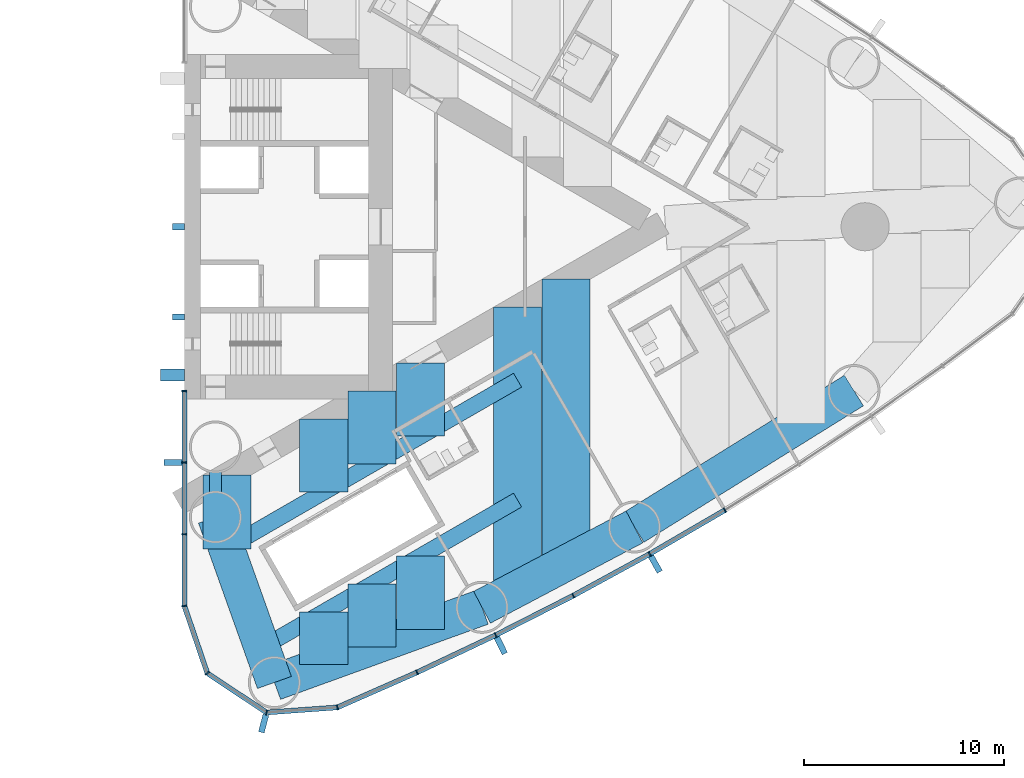
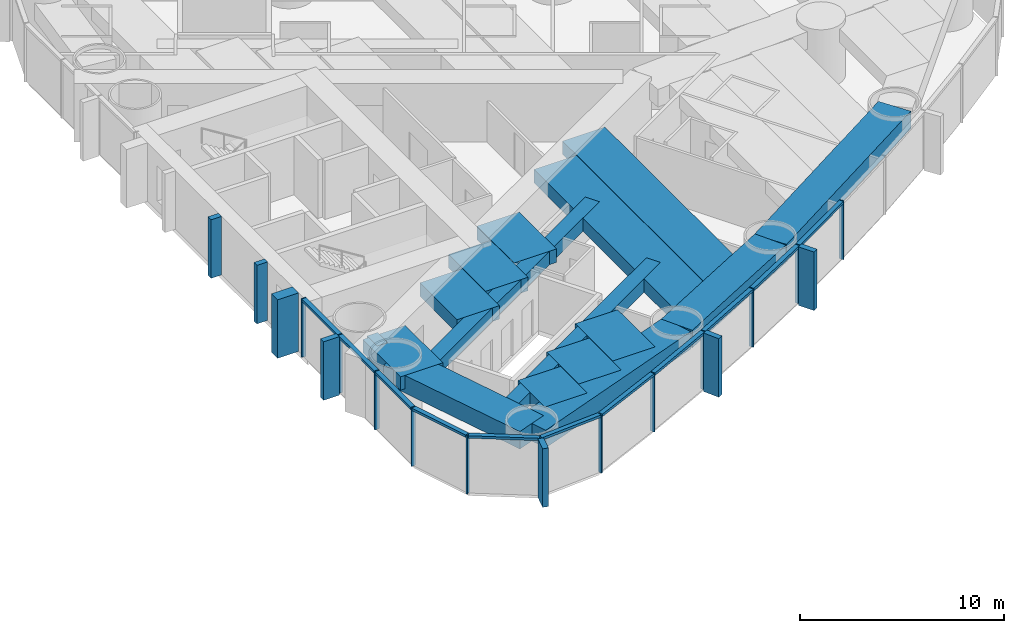
# One storey, part 6 of 18: 30 members, 16 beams, 1 element without a shape of its own.
"""IFC4 building model written with IfcOpenShell, lengths in metres."""

from ifc_helpers import new_model, si_unit, direction, frame, origin, origin_2d, place, context, subcontext, project, spatial, rectangle, hollow_rectangle, extrude, material, material_profile, profile_set, type_object, element, aggregate, save


model = new_model("IFC4")

# Units and contexts
model_context = context("Model", 3, precision=1e-05, world=origin(), true_north=direction((0.0, 1.0)))
body_context = subcontext(model_context, "Body", "Model", "MODEL_VIEW")
ifc_project = project(units=[si_unit("LENGTHUNIT", "METRE"), si_unit("AREAUNIT", "SQUARE_METRE"), si_unit("VOLUMEUNIT", "CUBIC_METRE"), si_unit("PLANEANGLEUNIT", "RADIAN"), si_unit("MASSUNIT", "GRAM", prefix="KILO")], contexts=[model_context])

# Site, building, storey
site_placement = place(None, origin())
site = spatial("IfcSite", under=ifc_project, at=site_placement, CompositionType="ELEMENT")
building_placement = place(site_placement, origin())
building = spatial("IfcBuilding", under=site, at=building_placement, Name="Lancet Gate Hotel", CompositionType="ELEMENT")
storey_placement = place(building_placement, frame((0.0, 0.0, 104.60009765625)))
storey = spatial("IfcBuildingStorey", under=building, at=storey_placement, Name="L27", CompositionType="ELEMENT", Elevation=104.60009765625)

# Curtain wall, members
ifc_material_1 = material(Name="Aluminium curtain wall", Category="aluminium")
curtain_wall_type = type_object("IfcCurtainWallType", Name="Tower unitised curtain wall", PredefinedType="USERDEFINED", material=ifc_material_1)
curtain_wall_placement = place(storey_placement, origin())
curtain_wall = element("IfcCurtainWall", 1, at=curtain_wall_placement, inside=storey, type_object=curtain_wall_type, Name="T2 L27 curtain wall 1", ObjectType="UNITISED CURTAIN WALL", PredefinedType="USERDEFINED")
ifc_material_2 = material(Name="Aluminium mullion", Category="aluminium")
ifc_material_profile_1 = material_profile(ifc_material_2, rectangle(XDim=0.06494140625, YDim=0.25, at=origin_2d()), Name="MULLION 65x250")
ifc_profile_set_1 = profile_set([ifc_material_profile_1], Name="Aluminium mullion")
member_type_1 = type_object("IfcMemberType", Name="Aluminium mullion 65x250", PredefinedType="MULLION", material=ifc_profile_set_1)
member_1_placement = place(storey_placement, frame((27.5, -8.199951171875, 0.0), z_axis=(0.0, 0.0, 1.0), x_axis=(0.0, -1.0, 0.0)))
member_1 = element("IfcMember", 2, at=member_1_placement, type_object=member_type_1, Name="T2 L27 curtain wall 1 mullion 1", PredefinedType="MULLION", context=body_context, shape_type="SweptSolid", body=[
    extrude(rectangle(XDim=0.06494140625, YDim=0.25, at=origin_2d()), origin(), (0.0, 0.0, 1.0), 3.5),
])
member_2_placement = place(storey_placement, frame((27.5, -11.781005859375, 0.0), z_axis=(0.0, 0.0, 1.0), x_axis=(0.0, -1.0, 0.0)))
member_2 = element("IfcMember", 3, at=member_2_placement, type_object=member_type_1, Name="T2 L27 curtain wall 1 mullion 2", PredefinedType="MULLION", context=body_context, shape_type="SweptSolid", body=[
    extrude(rectangle(XDim=0.06494140625, YDim=0.25, at=origin_2d()), origin(), (0.0, 0.0, 1.0), 3.5),
])
member_3_placement = place(storey_placement, frame((27.5, -15.362060546875, 0.0), z_axis=(0.0, 0.0, 1.0), x_axis=(0.0, -1.0, 0.0)))
member_3 = element("IfcMember", 4, at=member_3_placement, type_object=member_type_1, Name="T2 L27 curtain wall 1 mullion 3", PredefinedType="MULLION", context=body_context, shape_type="SweptSolid", body=[
    extrude(rectangle(XDim=0.06494140625, YDim=0.25, at=origin_2d()), origin(), (0.0, 0.0, 1.0), 3.5),
])
member_4_placement = place(storey_placement, frame((27.5, -18.94287109375, 0.0), z_axis=(0.0, 0.0, 1.0), x_axis=(0.162738742557, -0.986669195663, 0.0)))
member_4 = element("IfcMember", 5, at=member_4_placement, type_object=member_type_1, Name="T2 L27 curtain wall 1 mullion 4", PredefinedType="MULLION", context=body_context, shape_type="SweptSolid", body=[
    extrude(rectangle(XDim=0.06494140625, YDim=0.25, at=origin_2d()), origin(), (0.0, 0.0, 1.0), 3.5),
])
member_5_placement = place(storey_placement, frame((28.64453125, -22.301513671875, 0.0), z_axis=(0.0, 0.0, 1.0), x_axis=(0.610663954798, -0.79188984986, 0.0)))
member_5 = element("IfcMember", 6, at=member_5_placement, type_object=member_type_1, Name="T2 L27 curtain wall 1 mullion 5", PredefinedType="MULLION", context=body_context, shape_type="SweptSolid", body=[
    extrude(rectangle(XDim=0.06494140625, YDim=0.25, at=origin_2d()), origin(), (0.0, 0.0, 1.0), 3.5),
])
member_6_placement = place(storey_placement, frame((31.60205078125, -24.26220703125, 0.0), z_axis=(0.0, 0.0, 1.0), x_axis=(0.967157174963, -0.254179068604, 0.0)))
member_6 = element("IfcMember", 7, at=member_6_placement, type_object=member_type_1, Name="T2 L27 curtain wall 1 mullion 6", PredefinedType="MULLION", context=body_context, shape_type="SweptSolid", body=[
    extrude(rectangle(XDim=0.06494140625, YDim=0.25, at=origin_2d()), origin(), (0.0, 0.0, 1.0), 3.5),
])
member_7_placement = place(storey_placement, frame((35.141357421875, -24.009033203125, 0.0), z_axis=(0.0, 0.0, 1.0), x_axis=(0.966317378791, 0.257353304711, 0.0)))
member_7 = element("IfcMember", 8, at=member_7_placement, type_object=member_type_1, Name="T2 L27 curtain wall 1 mullion 7", PredefinedType="MULLION", context=body_context, shape_type="SweptSolid", body=[
    extrude(rectangle(XDim=0.06494140625, YDim=0.25, at=origin_2d()), origin(), (0.0, 0.0, 1.0), 3.5),
])
member_8_placement = place(storey_placement, frame((39.12109375, -22.259765625, 0.0), z_axis=(0.0, 0.0, 1.0), x_axis=(0.909672766767, 0.415325724465, 0.0)))
member_8 = element("IfcMember", 9, at=member_8_placement, type_object=member_type_1, Name="T2 L27 curtain wall 1 mullion 8", PredefinedType="MULLION", context=body_context, shape_type="SweptSolid", body=[
    extrude(rectangle(XDim=0.06494140625, YDim=0.25, at=origin_2d()), origin(), (0.0, 0.0, 1.0), 3.5),
])
member_9_placement = place(storey_placement, frame((43.0498046875, -20.398193359375, 0.0), z_axis=(0.0, 0.0, 1.0), x_axis=(0.897511886496, 0.440990264743, 0.0)))
member_9 = element("IfcMember", 10, at=member_9_placement, type_object=member_type_1, Name="T2 L27 curtain wall 1 mullion 9", PredefinedType="MULLION", context=body_context, shape_type="SweptSolid", body=[
    extrude(rectangle(XDim=0.06494140625, YDim=0.25, at=origin_2d()), origin(), (0.0, 0.0, 1.0), 3.5),
])
member_10_placement = place(storey_placement, frame((46.923828125, -18.426025390625, 0.0), z_axis=(0.0, 0.0, 1.0), x_axis=(0.884627112962, 0.466299121822, 0.0)))
member_10 = element("IfcMember", 11, at=member_10_placement, type_object=member_type_1, Name="T2 L27 curtain wall 1 mullion 10", PredefinedType="MULLION", context=body_context, shape_type="SweptSolid", body=[
    extrude(rectangle(XDim=0.06494140625, YDim=0.25, at=origin_2d()), origin(), (0.0, 0.0, 1.0), 3.5),
])
member_11_placement = place(storey_placement, frame((50.740478515625, -16.344482421875, 0.0), z_axis=(0.0, 0.0, 1.0), x_axis=(0.871028838445, 0.491231882716, 0.0)))
member_11 = element("IfcMember", 12, at=member_11_placement, type_object=member_type_1, Name="T2 L27 curtain wall 1 mullion 11", PredefinedType="MULLION", context=body_context, shape_type="SweptSolid", body=[
    extrude(rectangle(XDim=0.06494140625, YDim=0.25, at=origin_2d()), origin(), (0.0, 0.0, 1.0), 3.5),
])
member_12_placement = place(storey_placement, frame((54.496337890625, -14.1552734375, 0.0), z_axis=(0.0, 0.0, 1.0), x_axis=(0.856728030701, 0.515768437781, 0.0)))
member_12 = element("IfcMember", 13, at=member_12_placement, type_object=member_type_1, Name="T2 L27 curtain wall 1 mullion 12", PredefinedType="MULLION", context=body_context, shape_type="SweptSolid", body=[
    extrude(rectangle(XDim=0.06494140625, YDim=0.25, at=origin_2d()), origin(), (0.0, 0.0, 1.0), 3.5),
])
ifc_material_3 = material(Name="Aluminium transom", Category="aluminium")
ifc_material_profile_2 = material_profile(ifc_material_3, rectangle(XDim=0.25, YDim=0.14990234375, at=origin_2d()), Name="TRANSOM 250x150")
ifc_profile_set_2 = profile_set([ifc_material_profile_2], Name="Aluminium transom")
member_type_2 = type_object("IfcMemberType", Name="Aluminium transom 250x150", PredefinedType="USERDEFINED", material=ifc_profile_set_2)
member_13_placement = place(storey_placement, frame((27.5, -8.232421875, 3.4248046875), z_axis=(0.0, -1.0, 0.0), x_axis=(1.0, 0.0, 0.0)))
member_13 = element("IfcMember", 14, at=member_13_placement, type_object=member_type_2, Name="T2 L27 curtain wall 1 transom 1", ObjectType="TRANSOM", PredefinedType="USERDEFINED", context=body_context, shape_type="SweptSolid", body=[
    extrude(rectangle(XDim=0.25, YDim=0.14990234375, at=origin_2d()), origin(), (0.0, 0.0, 1.0), 3.51611328125),
])
member_14_placement = place(storey_placement, frame((27.5, -11.8134765625, 3.4248046875), z_axis=(0.0, -1.0, 0.0), x_axis=(1.0, 0.0, 0.0)))
member_14 = element("IfcMember", 15, at=member_14_placement, type_object=member_type_2, Name="T2 L27 curtain wall 1 transom 2", ObjectType="TRANSOM", PredefinedType="USERDEFINED", context=body_context, shape_type="SweptSolid", body=[
    extrude(rectangle(XDim=0.25, YDim=0.14990234375, at=origin_2d()), origin(), (0.0, 0.0, 1.0), 3.515869140625),
])
member_15_placement = place(storey_placement, frame((27.5, -15.39453125, 3.4248046875), z_axis=(0.0, -1.0, 0.0), x_axis=(1.0, 0.0, 0.0)))
member_15 = element("IfcMember", 16, at=member_15_placement, type_object=member_type_2, Name="T2 L27 curtain wall 1 transom 3", ObjectType="TRANSOM", PredefinedType="USERDEFINED", context=body_context, shape_type="SweptSolid", body=[
    extrude(rectangle(XDim=0.25, YDim=0.14990234375, at=origin_2d()), origin(), (0.0, 0.0, 1.0), 3.515869140625),
])
member_16_placement = place(storey_placement, frame((27.510498046875, -18.9736328125, 3.4248046875), z_axis=(0.322549769135, -0.946552505903, 0.0), x_axis=(0.946552505903, 0.322549769135, 0.0)))
member_16 = element("IfcMember", 17, at=member_16_placement, type_object=member_type_2, Name="T2 L27 curtain wall 1 transom 4", ObjectType="TRANSOM", PredefinedType="USERDEFINED", context=body_context, shape_type="SweptSolid", body=[
    extrude(rectangle(XDim=0.25, YDim=0.14990234375, at=origin_2d()), origin(), (0.0, 0.0, 1.0), 3.4833984375),
])
member_17_placement = place(storey_placement, frame((28.671630859375, -22.319580078125, 3.4248046875), z_axis=(0.833470854141, -0.552563421968, 0.0), x_axis=(0.552563421968, 0.833470854141, 0.0)))
member_17 = element("IfcMember", 18, at=member_17_placement, type_object=member_type_2, Name="T2 L27 curtain wall 1 transom 5", ObjectType="TRANSOM", PredefinedType="USERDEFINED", context=body_context, shape_type="SweptSolid", body=[
    extrude(rectangle(XDim=0.25, YDim=0.14990234375, at=origin_2d()), origin(), (0.0, 0.0, 1.0), 3.4833984375),
])
member_18_placement = place(storey_placement, frame((31.634521484375, -24.260009765625, 3.4248046875), z_axis=(0.997446232115, 0.071421383636, 0.0), x_axis=(-0.071421383636, 0.997446232115, 0.0)))
member_18 = element("IfcMember", 19, at=member_18_placement, type_object=member_type_2, Name="T2 L27 curtain wall 1 transom 6", ObjectType="TRANSOM", PredefinedType="USERDEFINED", context=body_context, shape_type="SweptSolid", body=[
    extrude(rectangle(XDim=0.25, YDim=0.14990234375, at=origin_2d()), origin(), (0.0, 0.0, 1.0), 3.483154296875),
])
member_19_placement = place(storey_placement, frame((35.171142578125, -23.995849609375, 3.4248046875), z_axis=(0.915484772266, 0.402352621155, 0.0), x_axis=(-0.402352621155, 0.915484772266, 0.0)))
member_19 = element("IfcMember", 20, at=member_19_placement, type_object=member_type_2, Name="T2 L27 curtain wall 1 transom 7", ObjectType="TRANSOM", PredefinedType="USERDEFINED", context=body_context, shape_type="SweptSolid", body=[
    extrude(rectangle(XDim=0.25, YDim=0.14990234375, at=origin_2d()), origin(), (0.0, 0.0, 1.0), 4.281982421875),
])
member_20_placement = place(storey_placement, frame((39.150634765625, -22.245849609375, 3.4248046875), z_axis=(0.903679787814, 0.428208875546, 0.0), x_axis=(-0.428208875546, 0.903679787814, 0.0)))
member_20 = element("IfcMember", 21, at=member_20_placement, type_object=member_type_2, Name="T2 L27 curtain wall 1 transom 8", ObjectType="TRANSOM", PredefinedType="USERDEFINED", context=body_context, shape_type="SweptSolid", body=[
    extrude(rectangle(XDim=0.25, YDim=0.14990234375, at=origin_2d()), origin(), (0.0, 0.0, 1.0), 4.282470703125),
])
member_21_placement = place(storey_placement, frame((43.07861328125, -20.383544921875, 3.4248046875), z_axis=(0.891165630033, 0.453678101574, 0.0), x_axis=(-0.453678101574, 0.891165630033, 0.0)))
member_21 = element("IfcMember", 22, at=member_21_placement, type_object=member_type_2, Name="T2 L27 curtain wall 1 transom 9", ObjectType="TRANSOM", PredefinedType="USERDEFINED", context=body_context, shape_type="SweptSolid", body=[
    extrude(rectangle(XDim=0.25, YDim=0.14990234375, at=origin_2d()), origin(), (0.0, 0.0, 1.0), 4.282470703125),
])
member_22_placement = place(storey_placement, frame((46.952392578125, -18.410400390625, 3.4248046875), z_axis=(0.877906466435, 0.478832158685, 0.0), x_axis=(-0.478832158685, 0.877906466435, 0.0)))
member_22 = element("IfcMember", 23, at=member_22_placement, type_object=member_type_2, Name="T2 L27 curtain wall 1 transom 10", ObjectType="TRANSOM", PredefinedType="USERDEFINED", context=body_context, shape_type="SweptSolid", body=[
    extrude(rectangle(XDim=0.25, YDim=0.14990234375, at=origin_2d()), origin(), (0.0, 0.0, 1.0), 4.282470703125),
])
member_23_placement = place(storey_placement, frame((50.7685546875, -16.327880859375, 3.4248046875), z_axis=(0.863973212152, 0.503537772847, 0.0), x_axis=(-0.503537772847, 0.863973212152, 0.0)))
member_23 = element("IfcMember", 24, at=member_23_placement, type_object=member_type_2, Name="T2 L27 curtain wall 1 transom 11", ObjectType="TRANSOM", PredefinedType="USERDEFINED", context=body_context, shape_type="SweptSolid", body=[
    extrude(rectangle(XDim=0.25, YDim=0.14990234375, at=origin_2d()), origin(), (0.0, 0.0, 1.0), 4.2822265625),
])

# Beams
ifc_material_4 = material(Name="Concrete C50/60", Category="concrete")
ifc_material_profile_3 = material_profile(ifc_material_4, rectangle(XDim=1.800048828125, YDim=1.050048828125, at=origin_2d()), Name="RC 1800x1050")
ifc_profile_set_3 = profile_set([ifc_material_profile_3], Name="Concrete C50/60")
beam_type_1 = type_object("IfcBeamType", Name="Edge beam RC 1800x1050", PredefinedType="SPANDREL", material=ifc_profile_set_3)
beam_1_placement = place(storey_placement, frame((31.99609375, -22.76318359375, 2.724853515625), z_axis=(0.940225039526, 0.340553777029, 0.0), x_axis=(-0.340553777029, 0.940225039526, 0.0)))
element("IfcBeam", 25, at=beam_1_placement, inside=storey, type_object=beam_type_1, Name="T2 edge beam EB1 L27", PredefinedType="SPANDREL", context=body_context, shape_type="SweptSolid", body=[
    extrude(rectangle(XDim=1.800048828125, YDim=1.050048828125, at=origin_2d()), origin(), (0.0, 0.0, 1.0), 11.029296875),
])
beam_2_placement = place(storey_placement, frame((42.3662109375, -19.007080078125, 2.724853515625), z_axis=(0.884632510133, 0.466288882578, 0.0), x_axis=(-0.466288882578, 0.884632510133, 0.0)))
element("IfcBeam", 26, at=beam_2_placement, inside=storey, type_object=beam_type_1, Name="T2 edge beam EB1 L27", PredefinedType="SPANDREL", context=body_context, shape_type="SweptSolid", body=[
    extrude(rectangle(XDim=1.800048828125, YDim=1.050048828125, at=origin_2d()), origin(), (0.0, 0.0, 1.0), 8.605712890625),
])
beam_3_placement = place(storey_placement, frame((49.97900390625, -14.994384765625, 2.724853515625), z_axis=(0.849312372751, 0.527890607505, 0.0), x_axis=(-0.527890607505, 0.849312372751, 0.0)))
element("IfcBeam", 27, at=beam_3_placement, inside=storey, type_object=beam_type_1, Name="T2 edge beam EB1 L27", PredefinedType="SPANDREL", context=body_context, shape_type="SweptSolid", body=[
    extrude(rectangle(XDim=1.800048828125, YDim=1.050048828125, at=origin_2d()), origin(), (0.0, 0.0, 1.0), 12.906494140625),
])
beam_4_placement = place(storey_placement, frame((31.99609375, -22.76318359375, 2.724853515625), z_axis=(-0.335821559388, 0.941925623523, 0.0), x_axis=(-0.941925623523, -0.335821559388, 0.0)))
element("IfcBeam", 28, at=beam_4_placement, inside=storey, type_object=beam_type_1, Name="T2 edge beam EB1 L27", PredefinedType="SPANDREL", context=body_context, shape_type="SweptSolid", body=[
    extrude(rectangle(XDim=1.800048828125, YDim=1.050048828125, at=origin_2d()), origin(), (0.0, 0.0, 1.0), 8.772705078125),
])

# Member
ifc_material_5 = material(Name="Concrete C60/75", Category="concrete")
ifc_material_profile_4 = material_profile(ifc_material_5, rectangle(XDim=0.60009765625, YDim=1.199951171875, at=origin_2d()), Name="FIN 600x1200")
ifc_profile_set_4 = profile_set([ifc_material_profile_4], Name="Concrete C60/75")
member_type_3 = type_object("IfcMemberType", Name="Exposed concrete buttress pilaster 600x1200", PredefinedType="USERDEFINED", material=ifc_profile_set_4)
member_24_placement = place(storey_placement, frame((26.909912109375, -7.39990234375, 0.0), z_axis=(0.0, 0.0, 1.0), x_axis=(0.0, 1.0, 0.0)))
element("IfcMember", 29, at=member_24_placement, inside=storey, type_object=member_type_3, Name="T2 buttress pilaster S L27", ObjectType="FIN", PredefinedType="USERDEFINED", context=body_context, shape_type="SweptSolid", body=[
    extrude(rectangle(XDim=0.60009765625, YDim=1.199951171875, at=origin_2d()), origin(), (0.0, 0.0, 1.0), 3.5),
])

ifc_material_6 = material(Name="Precast concrete C50/60", Category="concrete")
ifc_material_profile_5 = material_profile(ifc_material_6, rectangle(XDim=0.300048828125, YDim=0.89990234375, at=origin_2d()), Name="FIN 300x900")
ifc_profile_set_5 = profile_set([ifc_material_profile_5], Name="Precast concrete C50/60")
member_type_4 = type_object("IfcMemberType", Name="Exposed concrete fin 300x900", PredefinedType="USERDEFINED", material=ifc_profile_set_5)
member_25_placement = place(storey_placement, frame((26.925048828125, -11.781005859375, 0.0), z_axis=(0.0, 0.0, 1.0), x_axis=(0.0, -1.0, 0.0)))
member_25 = element("IfcMember", 30, at=member_25_placement, type_object=member_type_4, Name="T2 L27 curtain wall 1 fin 2", ObjectType="FIN", PredefinedType="USERDEFINED", context=body_context, shape_type="SweptSolid", body=[
    extrude(rectangle(XDim=0.300048828125, YDim=0.89990234375, at=origin_2d()), origin(), (0.0, 0.0, 1.0), 3.5),
])

member_26_placement = place(storey_placement, frame((31.455810546875, -24.818359375, 0.0), z_axis=(0.0, 0.0, 1.0), x_axis=(0.967157174963, -0.254179068604, 0.0)))
member_26 = element("IfcMember", 31, at=member_26_placement, type_object=member_type_4, Name="T2 L27 curtain wall 1 fin 6", ObjectType="FIN", PredefinedType="USERDEFINED", context=body_context, shape_type="SweptSolid", body=[
    extrude(rectangle(XDim=0.300048828125, YDim=0.89990234375, at=origin_2d()), origin(), (0.0, 0.0, 1.0), 3.5),
])

member_27_placement = place(storey_placement, frame((43.30322265625, -20.914306640625, 0.0), z_axis=(0.0, 0.0, 1.0), x_axis=(0.897511886496, 0.440990264743, 0.0)))
member_27 = element("IfcMember", 32, at=member_27_placement, type_object=member_type_4, Name="T2 L27 curtain wall 1 fin 9", ObjectType="FIN", PredefinedType="USERDEFINED", context=body_context, shape_type="SweptSolid", body=[
    extrude(rectangle(XDim=0.300048828125, YDim=0.89990234375, at=origin_2d()), origin(), (0.0, 0.0, 1.0), 3.5),
])

member_28_placement = place(storey_placement, frame((51.02294921875, -16.84521484375, 0.0), z_axis=(0.0, 0.0, 1.0), x_axis=(0.871028838445, 0.491231882716, 0.0)))
member_28 = element("IfcMember", 33, at=member_28_placement, type_object=member_type_4, Name="T2 L27 curtain wall 1 fin 11", ObjectType="FIN", PredefinedType="USERDEFINED", context=body_context, shape_type="SweptSolid", body=[
    extrude(rectangle(XDim=0.300048828125, YDim=0.89990234375, at=origin_2d()), origin(), (0.0, 0.0, 1.0), 3.5),
])

aggregate(curtain_wall, [member_1, member_2, member_25, member_3, member_4, member_5, member_6, member_26, member_7, member_8, member_9, member_27, member_10, member_11, member_28, member_12, member_13, member_14, member_15, member_16, member_17, member_18, member_19, member_20, member_21, member_22, member_23])

# Members
ifc_material_7 = material(Name="Concrete C60/75", Category="concrete")
ifc_material_profile_6 = material_profile(ifc_material_7, rectangle(XDim=0.300048828125, YDim=0.60009765625, at=origin_2d()), Name="FIN 300x600")
ifc_profile_set_6 = profile_set([ifc_material_profile_6], Name="Concrete C60/75")
member_type_5 = type_object("IfcMemberType", Name="Exposed concrete rib 300x600", PredefinedType="USERDEFINED", material=ifc_profile_set_6)
for number, where, z_axis, x_axis, name in (
    (34, (27.2099609375, -4.5, 0.0), (0.0, 0.0, 1.0), (0.0, 1.0, 0.0), "T2 core rib 1 L27"),
    (35, (27.2099609375, 0.0, 0.0), (0.0, 0.0, 1.0), (0.0, 1.0, 0.0), "T2 core rib 2 L27"),
):
    element("IfcMember", number, at=place(storey_placement, frame(where, z_axis=z_axis, x_axis=x_axis)), inside=storey, type_object=member_type_5, Name=name, ObjectType="FIN", PredefinedType="USERDEFINED", context=body_context, shape_type="SweptSolid", body=[
        extrude(rectangle(XDim=0.300048828125, YDim=0.60009765625, at=origin_2d()), origin(), (0.0, 0.0, 1.0), 3.5),
    ])

# Beams
ifc_material_8 = material(Name="Concrete C50/60", Category="concrete")
ifc_material_profile_7 = material_profile(ifc_material_8, rectangle(XDim=2.39990234375, YDim=0.800048828125, at=origin_2d()), Name="RC 2400x800")
ifc_profile_set_7 = profile_set([ifc_material_profile_7], Name="Concrete C50/60")
beam_type_2 = type_object("IfcBeamType", Name="Floor beam RC 2400x800", PredefinedType="BEAM", material=ifc_profile_set_7)
beam_5_placement = place(storey_placement, frame((29.6201171875, -16.099365234375, 2.849853515625), z_axis=(0.0, 1.0, 0.0), x_axis=(-1.0, 0.0, 0.0)))
element("IfcBeam", 36, at=beam_5_placement, inside=storey, type_object=beam_type_2, Name="T2 floor beam F01S L27", PredefinedType="BEAM", context=body_context, shape_type="SweptSolid", body=[
    extrude(rectangle(XDim=2.39990234375, YDim=0.800048828125, at=origin_2d()), origin(), (0.0, 0.0, 1.0), 3.69677734375),
])
beam_6_placement = place(storey_placement, frame((44.1416015625, -18.0712890625, 2.849853515625), z_axis=(0.0, 1.0, 0.0), x_axis=(-1.0, 0.0, 0.0)))
element("IfcBeam", 37, at=beam_6_placement, inside=storey, type_object=beam_type_2, Name="T2 floor beam F09S L27", PredefinedType="BEAM", context=body_context, shape_type="SweptSolid", body=[
    extrude(rectangle(XDim=2.39990234375, YDim=0.800048828125, at=origin_2d()), origin(), (0.0, 0.0, 1.0), 14.052490234375),
])
beam_7_placement = place(storey_placement, frame((46.561767578125, -16.795654296875, 2.849853515625), z_axis=(0.0, 1.0, 0.0), x_axis=(-1.0, 0.0, 0.0)))
element("IfcBeam", 38, at=beam_7_placement, inside=storey, type_object=beam_type_2, Name="T2 floor beam F11S L27", PredefinedType="BEAM", context=body_context, shape_type="SweptSolid", body=[
    extrude(rectangle(XDim=2.39990234375, YDim=0.800048828125, at=origin_2d()), origin(), (0.0, 0.0, 1.0), 14.17431640625),
])
beam_8_placement = place(storey_placement, frame((34.460693359375, -21.87060546875, 2.849853515625), z_axis=(0.0, 1.0, 0.0), x_axis=(-1.0, 0.0, 0.0)))
element("IfcBeam", 39, at=beam_8_placement, inside=storey, type_object=beam_type_2, Name="T2 floor beam F03SA L27", PredefinedType="BEAM", context=body_context, shape_type="SweptSolid", body=[
    extrude(rectangle(XDim=2.39990234375, YDim=0.800048828125, at=origin_2d()), origin(), (0.0, 0.0, 1.0), 2.62939453125),
])
beam_9_placement = place(storey_placement, frame((34.460693359375, -13.253662109375, 2.849853515625), z_axis=(0.0, 1.0, 0.0), x_axis=(-1.0, 0.0, 0.0)))
element("IfcBeam", 40, at=beam_9_placement, inside=storey, type_object=beam_type_2, Name="T2 floor beam F03SB L27", PredefinedType="BEAM", context=body_context, shape_type="SweptSolid", body=[
    extrude(rectangle(XDim=2.39990234375, YDim=0.800048828125, at=origin_2d()), origin(), (0.0, 0.0, 1.0), 3.645751953125),
])
beam_10_placement = place(storey_placement, frame((36.880859375, -20.993896484375, 2.849853515625), z_axis=(0.0, 1.0, 0.0), x_axis=(-1.0, 0.0, 0.0)))
element("IfcBeam", 41, at=beam_10_placement, inside=storey, type_object=beam_type_2, Name="T2 floor beam F05SA L27", PredefinedType="BEAM", context=body_context, shape_type="SweptSolid", body=[
    extrude(rectangle(XDim=2.39990234375, YDim=0.800048828125, at=origin_2d()), origin(), (0.0, 0.0, 1.0), 3.150146484375),
])
beam_11_placement = place(storey_placement, frame((36.880859375, -11.8564453125, 2.849853515625), z_axis=(0.0, 1.0, 0.0), x_axis=(-1.0, 0.0, 0.0)))
element("IfcBeam", 42, at=beam_11_placement, inside=storey, type_object=beam_type_2, Name="T2 floor beam F05SB L27", PredefinedType="BEAM", context=body_context, shape_type="SweptSolid", body=[
    extrude(rectangle(XDim=2.39990234375, YDim=0.800048828125, at=origin_2d()), origin(), (0.0, 0.0, 1.0), 3.645751953125),
])
beam_12_placement = place(storey_placement, frame((39.301025390625, -20.1171875, 2.849853515625), z_axis=(0.0, 1.0, 0.0), x_axis=(-1.0, 0.0, 0.0)))
element("IfcBeam", 43, at=beam_12_placement, inside=storey, type_object=beam_type_2, Name="T2 floor beam F07SA L27", PredefinedType="BEAM", context=body_context, shape_type="SweptSolid", body=[
    extrude(rectangle(XDim=2.39990234375, YDim=0.800048828125, at=origin_2d()), origin(), (0.0, 0.0, 1.0), 3.670654296875),
])
beam_13_placement = place(storey_placement, frame((39.301025390625, -10.458984375, 2.849853515625), z_axis=(0.0, 1.0, 0.0), x_axis=(-1.0, 0.0, 0.0)))
element("IfcBeam", 44, at=beam_13_placement, inside=storey, type_object=beam_type_2, Name="T2 floor beam F07SB L27", PredefinedType="BEAM", context=body_context, shape_type="SweptSolid", body=[
    extrude(rectangle(XDim=2.39990234375, YDim=0.800048828125, at=origin_2d()), origin(), (0.0, 0.0, 1.0), 3.6455078125),
])
ifc_material_9 = material(Name="Steel S460QL", Category="steel")
ifc_material_profile_8 = material_profile(ifc_material_9, hollow_rectangle(XDim=0.60009765625, YDim=1.5, WallThickness=0.050048828125, at=origin_2d()), Name="BOX 1500x600x50")
ifc_profile_set_8 = profile_set([ifc_material_profile_8], Name="Steel S460QL")
beam_type_3 = type_object("IfcBeamType", Name="Inner-face link beam BOX 1500x600x50", PredefinedType="BEAM", material=ifc_profile_set_8)
beam_14_placement = place(storey_placement, frame((29.050048828125, -13.25, 2.5), z_axis=(0.0, 1.0, 0.0), x_axis=(-1.0, 0.0, 0.0)))
element("IfcBeam", 45, at=beam_14_placement, inside=storey, type_object=beam_type_3, Name="T2 inner-face link beam LK1 L27", PredefinedType="BEAM", context=body_context, shape_type="SweptSolid", body=[
    extrude(hollow_rectangle(XDim=0.60009765625, YDim=1.5, WallThickness=0.050048828125, at=origin_2d()), origin(), (0.0, 0.0, 1.0), 1.0),
])
ifc_material_10 = material(Name="Steel S460QL", Category="steel")
ifc_material_profile_9 = material_profile(ifc_material_10, hollow_rectangle(XDim=0.800048828125, YDim=0.800048828125, WallThickness=0.080078125, at=origin_2d()), Name="BOX 800x800x80")
ifc_profile_set_9 = profile_set([ifc_material_profile_9], Name="Steel S460QL")
beam_type_4 = type_object("IfcBeamType", Name="Trimmer beam BOX 800x800x80", PredefinedType="BEAM", material=ifc_profile_set_9)
beam_15_placement = place(storey_placement, frame((29.6201171875, -16.048095703125, 2.849853515625), z_axis=(0.866036714307, 0.499980409089, 0.0), x_axis=(-0.499980409089, 0.866036714307, 0.0)))
element("IfcBeam", 46, at=beam_15_placement, inside=storey, type_object=beam_type_4, Name="T2 trimmer beam TR01S L27", PredefinedType="BEAM", context=body_context, shape_type="SweptSolid", body=[
    extrude(hollow_rectangle(XDim=0.800048828125, YDim=0.800048828125, WallThickness=0.080078125, at=origin_2d()), origin(), (0.0, 0.0, 1.0), 16.767822265625),
])
beam_16_placement = place(storey_placement, frame((31.375244140625, -21.0224609375, 2.849853515625), z_axis=(0.86603417384, 0.49998480951, 0.0), x_axis=(-0.49998480951, 0.86603417384, 0.0)))
element("IfcBeam", 47, at=beam_16_placement, inside=storey, type_object=beam_type_4, Name="T2 trimmer beam TR02S L27", PredefinedType="BEAM", context=body_context, shape_type="SweptSolid", body=[
    extrude(hollow_rectangle(XDim=0.800048828125, YDim=0.800048828125, WallThickness=0.080078125, at=origin_2d()), origin(), (0.0, 0.0, 1.0), 14.7412109375),
])

save(model, "model.ifc")
